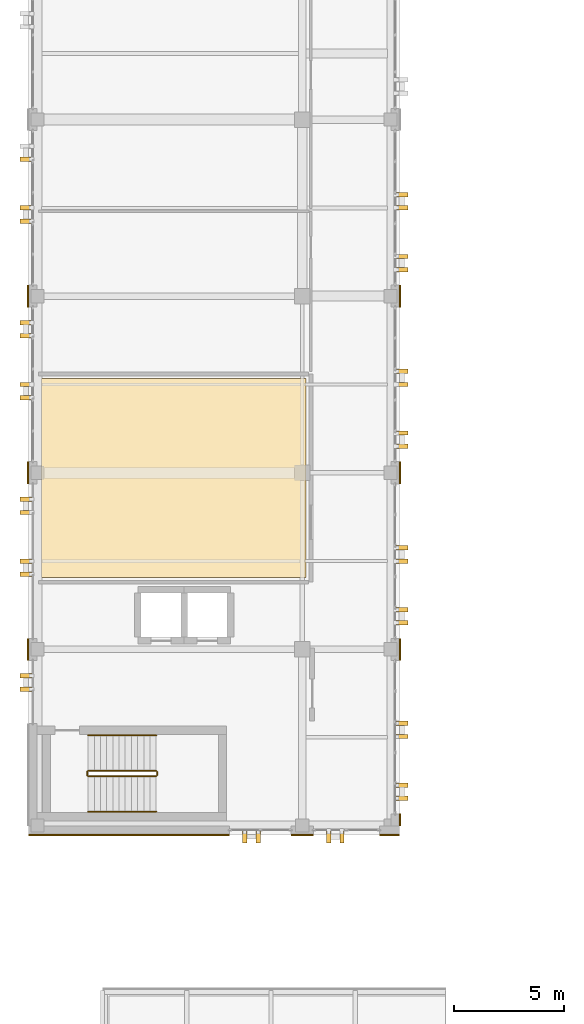
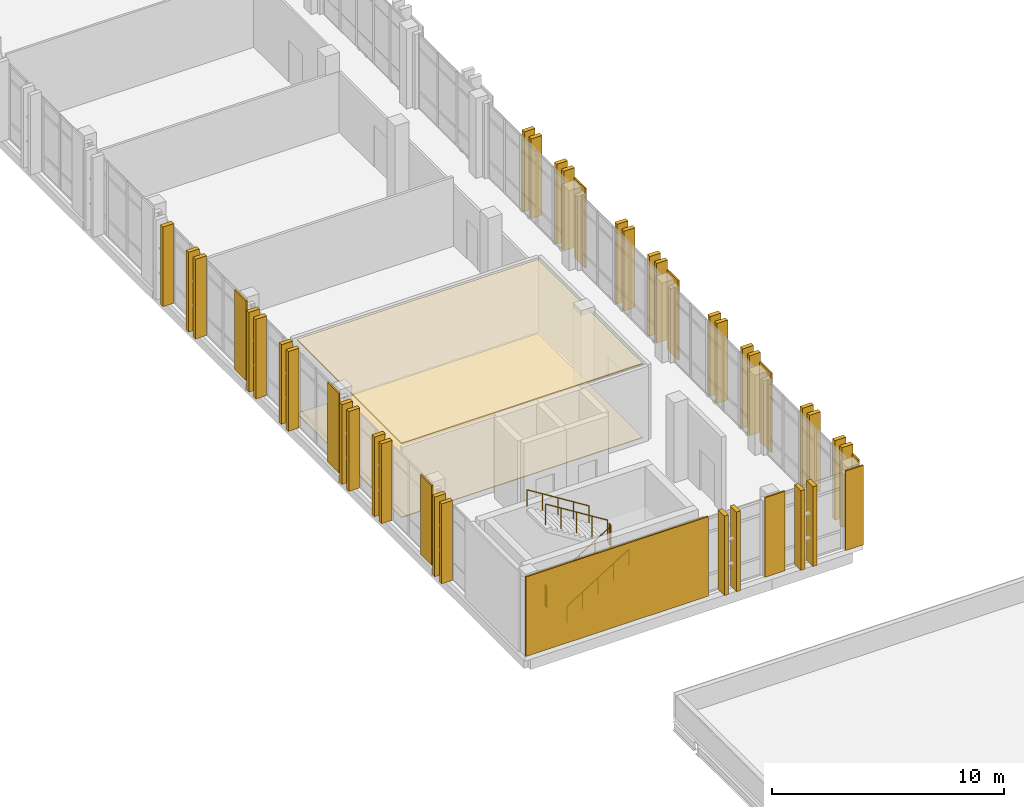
# One storey, part 79 of 90: 45 coverings, 6 railings.
"""IFC4 building model written with IfcOpenShell, lengths in metres."""

from ifc_helpers import new_model, si_unit, direction, frame, origin, origin_2d, place, context, subcontext, project, spatial, polyline, rectangle, circle, outline, extrude, material, layer, layer_set, type_object, element, save


model = new_model("IFC4")

# Units and contexts
model_context = context("Model", 3, precision=1e-05, world=origin(), true_north=direction((0.0, 1.0)))
body_context = subcontext(model_context, "Body", "Model", "MODEL_VIEW")
ifc_project = project(units=[si_unit("LENGTHUNIT", "METRE"), si_unit("AREAUNIT", "SQUARE_METRE"), si_unit("VOLUMEUNIT", "CUBIC_METRE"), si_unit("PLANEANGLEUNIT", "RADIAN"), si_unit("MASSUNIT", "GRAM", prefix="KILO")], contexts=[model_context])

# Site, building, storey
site_placement = place(None, origin())
site = spatial("IfcSite", under=ifc_project, at=site_placement, CompositionType="ELEMENT")
building_placement = place(site_placement, origin())
building = spatial("IfcBuilding", under=site, at=building_placement, Name="Qalavern Law Courts", CompositionType="ELEMENT")
storey_placement = place(building_placement, frame((0.0, 0.0, 22.800048828125)))
storey = spatial("IfcBuildingStorey", under=building, at=storey_placement, Name="L05", CompositionType="ELEMENT", Elevation=22.800048828125)

# Coverings
ifc_material_1 = material(Name="Precast concrete C40/50", Category="concrete")
ifc_layer_1 = layer(ifc_material_1, 0.199951171875)
ifc_layer_set_1 = layer_set([ifc_layer_1], Name="Precast concrete C40/50")
covering_type_1 = type_object("IfcCoveringType", Name="ENV-BLD-1", PredefinedType="CLADDING", material=ifc_layer_set_1)
for number, where, z_axis, x_axis, name in (
    (1, (11.800048828125, 40.902587890625, 0.0048828125), (0.0, 0.0, 1.0), (0.0, -1.0, 0.0), "Absheron stone facade blade 0405"),
    (2, (12.39990234375, 40.902587890625, 0.0048828125), (0.0, 0.0, 1.0), (0.0, -1.0, 0.0), "Absheron stone facade blade 0406"),
    (3, (15.60009765625, 40.902587890625, 0.0048828125), (0.0, 0.0, 1.0), (0.0, -1.0, 0.0), "Absheron stone facade blade 0407"),
    (4, (16.199951171875, 40.902587890625, 0.0048828125), (0.0, 0.0, 1.0), (0.0, -1.0, 0.0), "Absheron stone facade blade 0408"),
    (5, (18.91748046875, 42.64990234375, 0.0048828125), (0.0, 0.0, 1.0), (1.0, 0.0, 0.0), "Absheron stone facade blade 0409"),
    (6, (18.91748046875, 43.25, 0.0048828125), (0.0, 0.0, 1.0), (1.0, 0.0, 0.0), "Absheron stone facade blade 0410"),
    (7, (18.91748046875, 45.449951171875, 0.0048828125), (0.0, 0.0, 1.0), (1.0, 0.0, 0.0), "Absheron stone facade blade 0411"),
    (8, (18.91748046875, 46.050048828125, 0.0048828125), (0.0, 0.0, 1.0), (1.0, 0.0, 0.0), "Absheron stone facade blade 0412"),
    (9, (18.91748046875, 50.60009765625, 0.0048828125), (0.0, 0.0, 1.0), (1.0, 0.0, 0.0), "Absheron stone facade blade 0413"),
    (10, (18.91748046875, 51.199951171875, 0.0048828125), (0.0, 0.0, 1.0), (1.0, 0.0, 0.0), "Absheron stone facade blade 0414"),
    (11, (18.91748046875, 53.39990234375, 0.0048828125), (0.0, 0.0, 1.0), (1.0, 0.0, 0.0), "Absheron stone facade blade 0415"),
    (12, (18.91748046875, 54.0, 0.0048828125), (0.0, 0.0, 1.0), (1.0, 0.0, 0.0), "Absheron stone facade blade 0416"),
    (13, (18.91748046875, 58.60009765625, 0.0048828125), (0.0, 0.0, 1.0), (1.0, 0.0, 0.0), "Absheron stone facade blade 0417"),
    (14, (18.91748046875, 59.199951171875, 0.0048828125), (0.0, 0.0, 1.0), (1.0, 0.0, 0.0), "Absheron stone facade blade 0418"),
    (15, (18.91748046875, 61.39990234375, 0.0048828125), (0.0, 0.0, 1.0), (1.0, 0.0, 0.0), "Absheron stone facade blade 0419"),
    (16, (18.91748046875, 62.0, 0.0048828125), (0.0, 0.0, 1.0), (1.0, 0.0, 0.0), "Absheron stone facade blade 0420"),
    (17, (18.91748046875, 66.60009765625, 0.0048828125), (0.0, 0.0, 1.0), (1.0, 0.0, 0.0), "Absheron stone facade blade 0421"),
    (18, (18.91748046875, 67.199951171875, 0.0048828125), (0.0, 0.0, 1.0), (1.0, 0.0, 0.0), "Absheron stone facade blade 0422"),
    (19, (18.91748046875, 69.39990234375, 0.0048828125), (0.0, 0.0, 1.0), (1.0, 0.0, 0.0), "Absheron stone facade blade 0423"),
    (20, (18.91748046875, 70.0, 0.0048828125), (0.0, 0.0, 1.0), (1.0, 0.0, 0.0), "Absheron stone facade blade 0424"),
    (21, (1.882568359375, 71.60009765625, 0.0048828125), (0.0, 0.0, 1.0), (-1.0, 0.0, 0.0), "Absheron stone facade blade 0446"),
    (22, (1.882568359375, 69.39990234375, 0.0048828125), (0.0, 0.0, 1.0), (-1.0, 0.0, 0.0), "Absheron stone facade blade 0447"),
    (23, (1.882568359375, 68.800048828125, 0.0048828125), (0.0, 0.0, 1.0), (-1.0, 0.0, 0.0), "Absheron stone facade blade 0448"),
    (24, (1.882568359375, 64.199951171875, 0.0048828125), (0.0, 0.0, 1.0), (-1.0, 0.0, 0.0), "Absheron stone facade blade 0449"),
    (25, (1.882568359375, 63.60009765625, 0.0048828125), (0.0, 0.0, 1.0), (-1.0, 0.0, 0.0), "Absheron stone facade blade 0450"),
    (26, (1.882568359375, 61.39990234375, 0.0048828125), (0.0, 0.0, 1.0), (-1.0, 0.0, 0.0), "Absheron stone facade blade 0451"),
    (27, (1.882568359375, 60.800048828125, 0.0048828125), (0.0, 0.0, 1.0), (-1.0, 0.0, 0.0), "Absheron stone facade blade 0452"),
    (28, (1.882568359375, 56.199951171875, 0.0048828125), (0.0, 0.0, 1.0), (-1.0, 0.0, 0.0), "Absheron stone facade blade 0453"),
    (29, (1.882568359375, 55.60009765625, 0.0048828125), (0.0, 0.0, 1.0), (-1.0, 0.0, 0.0), "Absheron stone facade blade 0454"),
    (30, (1.882568359375, 53.39990234375, 0.0048828125), (0.0, 0.0, 1.0), (-1.0, 0.0, 0.0), "Absheron stone facade blade 0455"),
    (31, (1.882568359375, 52.800048828125, 0.0048828125), (0.0, 0.0, 1.0), (-1.0, 0.0, 0.0), "Absheron stone facade blade 0456"),
    (32, (1.882568359375, 48.199951171875, 0.0048828125), (0.0, 0.0, 1.0), (-1.0, 0.0, 0.0), "Absheron stone facade blade 0457"),
    (33, (1.882568359375, 47.60009765625, 0.0048828125), (0.0, 0.0, 1.0), (-1.0, 0.0, 0.0), "Absheron stone facade blade 0458"),
):
    element("IfcCovering", number, at=place(storey_placement, frame(where, z_axis=z_axis, x_axis=x_axis)), inside=storey, type_object=covering_type_1, Name=name, PredefinedType="CLADDING", context=body_context, shape_type="SweptSolid", body=[
        extrude(rectangle(XDim=0.5400390625, YDim=0.199951171875, at=origin_2d()), origin(), (0.0, 0.0, 1.0), 4.18994140625),
    ])
ifc_layer_2 = layer(ifc_material_1, 0.072021484375)
ifc_layer_set_2 = layer_set([ifc_layer_2], Name="Precast concrete C40/50")
covering_type_2 = type_object("IfcCoveringType", Name="ENV-CLD-2", PredefinedType="CLADDING", material=ifc_layer_set_2)
covering_1_placement = place(storey_placement, frame((6.550048828125, 40.987060546875, 0.009765625), z_axis=(0.0, 0.0, 1.0), x_axis=(1.0, 0.0, 0.0)))
element("IfcCovering", 34, at=covering_1_placement, inside=storey, type_object=covering_type_2, Name="V3 Absheron limestone pier facing L05 south 1", PredefinedType="CLADDING", context=body_context, shape_type="SweptSolid", body=[
    extrude(rectangle(XDim=9.080078125, YDim=0.072021484375, at=origin_2d()), origin(), (0.0, 0.0, 1.0), 4.179931640625),
])
covering_2_placement = place(storey_placement, frame((14.39990234375, 40.987060546875, 0.009765625), z_axis=(0.0, 0.0, 1.0), x_axis=(1.0, 0.0, 0.0)))
element("IfcCovering", 35, at=covering_2_placement, inside=storey, type_object=covering_type_2, Name="V3 Absheron limestone pier facing L05 south 2", PredefinedType="CLADDING", context=body_context, shape_type="SweptSolid", body=[
    extrude(rectangle(XDim=0.97998046875, YDim=0.072021484375, at=origin_2d()), origin(), (0.0, 0.0, 1.0), 4.179931640625),
])
covering_3_placement = place(storey_placement, frame((18.35009765625, 40.987060546875, 0.009765625), z_axis=(0.0, 0.0, 1.0), x_axis=(1.0, 0.0, 0.0)))
element("IfcCovering", 36, at=covering_3_placement, inside=storey, type_object=covering_type_2, Name="V3 Absheron limestone pier facing L05 south 3", PredefinedType="CLADDING", context=body_context, shape_type="SweptSolid", body=[
    extrude(rectangle(XDim=0.8798828125, YDim=0.072021484375, at=origin_2d()), origin(), (0.0, 0.0, 1.0), 4.179931640625),
])
covering_4_placement = place(storey_placement, frame((18.8330078125, 41.675048828125, 0.009765625), z_axis=(0.0, 0.0, 1.0), x_axis=(0.0, 1.0, 0.0)))
element("IfcCovering", 37, at=covering_4_placement, inside=storey, type_object=covering_type_2, Name="V3 Absheron limestone pier facing L05 east 1", PredefinedType="CLADDING", context=body_context, shape_type="SweptSolid", body=[
    extrude(rectangle(XDim=0.530029296875, YDim=0.072021484375, at=origin_2d()), origin(), (0.0, 0.0, 1.0), 4.179931640625),
])
for number, where, z_axis, x_axis, name in (
    (38, (18.8330078125, 49.39990234375, 0.009765625), (0.0, 0.0, 1.0), (0.0, 1.0, 0.0), "V3 Absheron limestone pier facing L05 east 2"),
    (39, (18.8330078125, 57.39990234375, 0.009765625), (0.0, 0.0, 1.0), (0.0, 1.0, 0.0), "V3 Absheron limestone pier facing L05 east 3"),
    (40, (18.8330078125, 65.39990234375, 0.009765625), (0.0, 0.0, 1.0), (0.0, 1.0, 0.0), "V3 Absheron limestone pier facing L05 east 4"),
    (41, (1.967041015625, 65.39990234375, 0.009765625), (0.0, 0.0, 1.0), (0.0, -1.0, 0.0), "V3 Absheron limestone pier facing L05 west 5"),
    (42, (1.967041015625, 57.39990234375, 0.009765625), (0.0, 0.0, 1.0), (0.0, -1.0, 0.0), "V3 Absheron limestone pier facing L05 west 6"),
    (43, (1.967041015625, 49.39990234375, 0.009765625), (0.0, 0.0, 1.0), (0.0, -1.0, 0.0), "V3 Absheron limestone pier facing L05 west 7"),
):
    element("IfcCovering", number, at=place(storey_placement, frame(where, z_axis=z_axis, x_axis=x_axis)), inside=storey, type_object=covering_type_2, Name=name, PredefinedType="CLADDING", context=body_context, shape_type="SweptSolid", body=[
        extrude(rectangle(XDim=0.97998046875, YDim=0.072021484375, at=origin_2d()), origin(), (0.0, 0.0, 1.0), 4.179931640625),
    ])
ifc_material_2 = material(Name="Slatted oak acoustic timber baffle ceiling", Category="wood")
ifc_layer_3 = layer(ifc_material_2, 0.055908203125)
ifc_layer_set_3 = layer_set([ifc_layer_3], Name="Slatted oak acoustic timber baffle ceiling")
covering_type_3 = type_object("IfcCoveringType", Name="INT-CEIL-3", PredefinedType="CEILING", material=ifc_layer_set_3)
covering_5_placement = place(storey_placement, frame((0.0, 0.0, 3.8740234375)))
element("IfcCovering", 44, at=covering_5_placement, inside=storey, type_object=covering_type_3, Name="Administrative Hearing Courtroom acoustic ceiling L05", PredefinedType="CEILING", context=body_context, shape_type="SweptSolid", body=[
    extrude(outline(polyline([(2.590087890625, 52.64990234375), (14.580078125, 52.64990234375), (14.580078125, 61.6630859375), (2.590087890625, 61.6630859375), (2.590087890625, 52.64990234375)])), origin(), (0.0, 0.0, 1.0), 0.055908203125),
])
ifc_material_3 = material(Name="Acoustic engineered oak courtroom flooring")
ifc_layer_4 = layer(ifc_material_3, 0.0380859375)
ifc_layer_set_4 = layer_set([ifc_layer_4], Name="Acoustic engineered oak courtroom flooring")
covering_type_4 = type_object("IfcCoveringType", Name="INT-FLR-3", PredefinedType="FLOORING", material=ifc_layer_set_4)
covering_6_placement = place(storey_placement, origin())
element("IfcCovering", 45, at=covering_6_placement, inside=storey, type_object=covering_type_4, Name="Administrative Hearing Courtroom finish flooring L05", PredefinedType="FLOORING", context=body_context, shape_type="SweptSolid", body=[
    extrude(outline(polyline([(2.590087890625, 52.64990234375), (14.580078125, 52.64990234375), (14.580078125, 61.6630859375), (2.590087890625, 61.6630859375), (2.590087890625, 52.64990234375)])), origin(), (0.0, 0.0, 1.0), 0.037841796875),
])

# Railings
ifc_material_4 = material(Name="Steel S355", Category="steel")
railing_type_1 = type_object("IfcRailingType", Name="INT-GUARD-1120", PredefinedType="BALUSTRADE", material=ifc_material_4)
railing_1_placement = place(storey_placement, frame((4.699951171875, 43.64990234375, 0.175048828125)))
element("IfcRailing", 46, at=railing_1_placement, inside=storey, type_object=railing_type_1, Name="L05 ST-K2 stair guard 1", PredefinedType="BALUSTRADE", context=body_context, shape_type="SweptSolid", body=[
    extrude(circle(Radius=0.02392578125, at=origin_2d()), frame((0.0, 0.0, 1.09619140625), z_axis=(0.848028513186, 0.0, 0.529950602248), x_axis=(0.0, 1.0, 0.0)), (0.0, 0.0, 1.0), 3.632080078125),
    extrude(circle(Radius=0.02099609375, at=origin_2d()), origin(), (0.0, 0.0, 1.0), 1.072021484375),
    extrude(circle(Radius=0.02099609375, at=origin_2d()), frame((0.77001953125, 0.0, 0.481201171875)), (0.0, 0.0, 1.0), 1.072021484375),
    extrude(circle(Radius=0.02099609375, at=origin_2d()), frame((1.5400390625, 0.0, 0.96240234375)), (0.0, 0.0, 1.0), 1.072021484375),
    extrude(circle(Radius=0.02099609375, at=origin_2d()), frame((2.31005859375, 0.0, 1.443603515625)), (0.0, 0.0, 1.0), 1.072021484375),
    extrude(circle(Radius=0.02099609375, at=origin_2d()), frame((3.080078125, 0.0, 1.9248046875)), (0.0, 0.0, 1.0), 1.072021484375),
])
railing_2_placement = place(storey_placement, frame((7.830078125, 43.699951171875, 2.099853515625)))
element("IfcRailing", 47, at=railing_2_placement, inside=storey, type_object=railing_type_1, Name="L05 ST-K2 stair guard 2", PredefinedType="BALUSTRADE", context=body_context, shape_type="SweptSolid", body=[
    extrude(circle(Radius=0.02392578125, at=origin_2d()), frame((0.0, 0.0, 1.09619140625), z_axis=(0.0, 1.0, 0.0), x_axis=(-1.0, 0.0, 0.0)), (0.0, 0.0, 1.0), 0.150146484375),
    extrude(circle(Radius=0.02099609375, at=origin_2d()), origin(), (0.0, 0.0, 1.0), 1.072021484375),
    extrude(circle(Radius=0.02099609375, at=origin_2d()), frame((0.0, 0.150146484375, 0.0)), (0.0, 0.0, 1.0), 1.072021484375),
])
railing_3_placement = place(storey_placement, frame((7.780029296875, 43.89990234375, 2.27490234375)))
element("IfcRailing", 48, at=railing_3_placement, inside=storey, type_object=railing_type_1, Name="L05 ST-K2 stair guard 3", PredefinedType="BALUSTRADE", context=body_context, shape_type="SweptSolid", body=[
    extrude(circle(Radius=0.02392578125, at=origin_2d()), frame((0.0, 0.0, 1.09619140625), z_axis=(-0.847998304005, 0.0, 0.529998940003), x_axis=(0.0, -1.0, 0.0)), (0.0, 0.0, 1.0), 3.632080078125),
    extrude(circle(Radius=0.02099609375, at=origin_2d()), origin(), (0.0, 0.0, 1.0), 1.072021484375),
    extrude(circle(Radius=0.02099609375, at=origin_2d()), frame((-0.77001953125, 0.0, 0.481201171875)), (0.0, 0.0, 1.0), 1.072021484375),
    extrude(circle(Radius=0.02099609375, at=origin_2d()), frame((-1.5400390625, 0.0, 0.96240234375)), (0.0, 0.0, 1.0), 1.072021484375),
    extrude(circle(Radius=0.02099609375, at=origin_2d()), frame((-2.31005859375, 0.0, 1.44384765625)), (0.0, 0.0, 1.0), 1.072021484375),
    extrude(circle(Radius=0.02099609375, at=origin_2d()), frame((-3.080078125, 0.0, 1.925048828125)), (0.0, 0.0, 1.0), 1.072021484375),
])
railing_4_placement = place(storey_placement, frame((4.64990234375, 43.699951171875, 0.0)))
element("IfcRailing", 49, at=railing_4_placement, inside=storey, type_object=railing_type_1, Name="L05 ST-K2 stair guard 4", PredefinedType="BALUSTRADE", context=body_context, shape_type="SweptSolid", body=[
    extrude(circle(Radius=0.02392578125, at=origin_2d()), frame((0.0, 0.0, 1.09619140625), z_axis=(0.0, 1.0, 0.0), x_axis=(-1.0, 0.0, 0.0)), (0.0, 0.0, 1.0), 0.150146484375),
    extrude(circle(Radius=0.02099609375, at=origin_2d()), origin(), (0.0, 0.0, 1.0), 1.072021484375),
    extrude(circle(Radius=0.02099609375, at=origin_2d()), frame((0.0, 0.150146484375, 0.0)), (0.0, 0.0, 1.0), 1.072021484375),
])
railing_type_2 = type_object("IfcRailingType", Name="INT-HRAIL-920", PredefinedType="HANDRAIL", material=ifc_material_4)
railing_5_placement = place(storey_placement, frame((4.699951171875, 42.050048828125, 0.175048828125)))
element("IfcRailing", 50, at=railing_5_placement, inside=storey, type_object=railing_type_2, Name="L05 ST-K2 stair handrail 1", PredefinedType="HANDRAIL", context=body_context, shape_type="SweptSolid", body=[
    extrude(circle(Radius=0.02392578125, at=origin_2d()), frame((0.0, 0.0, 0.8759765625), z_axis=(0.848028513186, 0.0, 0.529950602248), x_axis=(0.0, 1.0, 0.0)), (0.0, 0.0, 1.0), 3.632080078125),
    extrude(circle(Radius=0.02099609375, at=origin_2d()), origin(), (0.0, 0.0, 1.0), 0.851806640625),
    extrude(circle(Radius=0.02099609375, at=origin_2d()), frame((0.77001953125, 0.0, 0.481201171875)), (0.0, 0.0, 1.0), 0.851806640625),
    extrude(circle(Radius=0.02099609375, at=origin_2d()), frame((1.5400390625, 0.0, 0.96240234375)), (0.0, 0.0, 1.0), 0.851806640625),
    extrude(circle(Radius=0.02099609375, at=origin_2d()), frame((2.31005859375, 0.0, 1.443603515625)), (0.0, 0.0, 1.0), 0.851806640625),
    extrude(circle(Radius=0.02099609375, at=origin_2d()), frame((3.080078125, 0.0, 1.9248046875)), (0.0, 0.0, 1.0), 0.851806640625),
])
railing_6_placement = place(storey_placement, frame((7.780029296875, 45.5, 2.27490234375)))
element("IfcRailing", 51, at=railing_6_placement, inside=storey, type_object=railing_type_2, Name="L05 ST-K2 stair handrail 2", PredefinedType="HANDRAIL", context=body_context, shape_type="SweptSolid", body=[
    extrude(circle(Radius=0.02392578125, at=origin_2d()), frame((0.0, 0.0, 0.8759765625), z_axis=(-0.847998304005, 0.0, 0.529998940003), x_axis=(0.0, -1.0, 0.0)), (0.0, 0.0, 1.0), 3.632080078125),
    extrude(circle(Radius=0.02099609375, at=origin_2d()), origin(), (0.0, 0.0, 1.0), 0.851806640625),
    extrude(circle(Radius=0.02099609375, at=origin_2d()), frame((-0.77001953125, 0.0, 0.481201171875)), (0.0, 0.0, 1.0), 0.851806640625),
    extrude(circle(Radius=0.02099609375, at=origin_2d()), frame((-1.5400390625, 0.0, 0.96240234375)), (0.0, 0.0, 1.0), 0.851806640625),
    extrude(circle(Radius=0.02099609375, at=origin_2d()), frame((-2.31005859375, 0.0, 1.44384765625)), (0.0, 0.0, 1.0), 0.851806640625),
    extrude(circle(Radius=0.02099609375, at=origin_2d()), frame((-3.080078125, 0.0, 1.925048828125)), (0.0, 0.0, 1.0), 0.851806640625),
])

save(model, "model.ifc")
